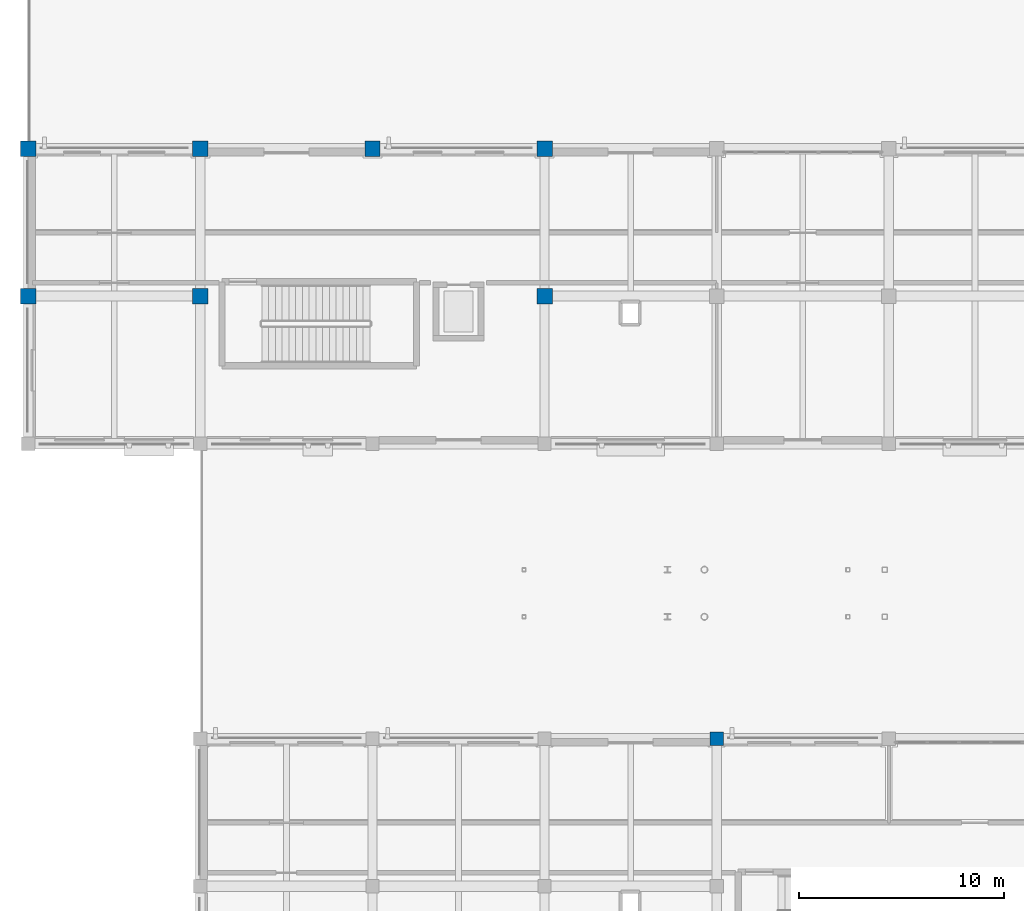
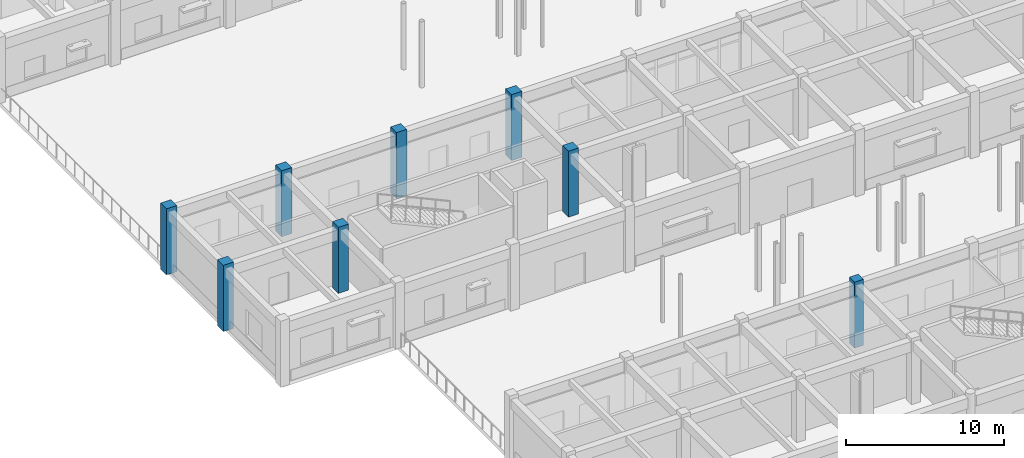
# One storey, part 11 of 121: 8 columns.
"""IFC4 building model written with IfcOpenShell, lengths in metres."""

from ifc_helpers import new_model, si_unit, direction, frame, origin, origin_2d, place, context, subcontext, project, spatial, rectangle, extrude, material, material_profile, profile_set, type_object, element, save


model = new_model("IFC4")

# Units and contexts
model_context = context("Model", 3, precision=1e-05, world=origin(), true_north=direction((0.0, 1.0)))
body_context = subcontext(model_context, "Body", "Model", "MODEL_VIEW")
ifc_project = project(units=[si_unit("LENGTHUNIT", "METRE"), si_unit("AREAUNIT", "SQUARE_METRE"), si_unit("VOLUMEUNIT", "CUBIC_METRE"), si_unit("PLANEANGLEUNIT", "RADIAN"), si_unit("MASSUNIT", "GRAM", prefix="KILO")], contexts=[model_context])

# Site, building, storey
site_placement = place(None, origin())
site = spatial("IfcSite", under=ifc_project, at=site_placement, CompositionType="ELEMENT")
building_placement = place(site_placement, origin())
building = spatial("IfcBuilding", under=site, at=building_placement, Name="Malvenik Polytechnic", CompositionType="ELEMENT")
storey_placement = place(building_placement, origin())
storey = spatial("IfcBuildingStorey", under=building, at=storey_placement, Name="L00", CompositionType="ELEMENT", Elevation=0.0)

# Columns
ifc_material_1 = material(Name="Concrete C40/50", Category="concrete")
ifc_material_profile_1 = material_profile(ifc_material_1, rectangle(XDim=0.75, YDim=0.75, at=origin_2d()), Name="RC COL 750x750")
ifc_profile_set_1 = profile_set([ifc_material_profile_1], Name="Concrete C40/50")
column_type_1 = type_object("IfcColumnType", Name="STR-COL-C-03", PredefinedType="COLUMN", material=ifc_profile_set_1)
for number, where, z_axis, x_axis, name in (
    (1, (0.0, 86.39990234375, 0.0), (0.0, 0.0, 1.0), (1.0, 0.0, 0.0), "Column C-03 L00 (0.0,86.4)"),
    (2, (0.0, 93.60009765625, 0.0), (0.0, 0.0, 1.0), (1.0, 0.0, 0.0), "Column C-03 L00 (0.0,93.6)"),
    (3, (8.39990234375, 86.39990234375, 0.0), (0.0, 0.0, 1.0), (1.0, 0.0, 0.0), "Column C-03 L00 (8.4,86.4)"),
    (4, (8.39990234375, 93.60009765625, 0.0), (0.0, 0.0, 1.0), (1.0, 0.0, 0.0), "Column C-03 L00 (8.4,93.6)"),
    (5, (16.800048828125, 93.60009765625, 0.0), (0.0, 0.0, 1.0), (1.0, 0.0, 0.0), "Column C-03 L00 (16.8,93.6)"),
    (6, (25.199951171875, 86.39990234375, 0.0), (0.0, 0.0, 1.0), (1.0, 0.0, 0.0), "Column C-03 L00 (25.2,86.4)"),
    (7, (25.199951171875, 93.60009765625, 0.0), (0.0, 0.0, 1.0), (1.0, 0.0, 0.0), "Column C-03 L00 (25.2,93.6)"),
):
    element("IfcColumn", number, at=place(storey_placement, frame(where, z_axis=z_axis, x_axis=x_axis)), inside=storey, type_object=column_type_1, Name=name, PredefinedType="COLUMN", context=body_context, shape_type="SweptSolid", body=[
        extrude(rectangle(XDim=0.75, YDim=0.75, at=origin_2d()), origin(), (0.0, 0.0, 1.0), 5.10009765625),
    ])
ifc_material_2 = material(Name="Concrete C35/45", Category="concrete")
ifc_material_profile_2 = material_profile(ifc_material_2, rectangle(XDim=0.64990234375, YDim=0.64990234375, at=origin_2d()), Name="RC COL 650x650")
ifc_profile_set_2 = profile_set([ifc_material_profile_2], Name="Concrete C35/45")
column_type_2 = type_object("IfcColumnType", Name="STR-COL-C-05", PredefinedType="COLUMN", material=ifc_profile_set_2)
column_placement = place(storey_placement, frame((33.60009765625, 64.800048828125, 0.0), z_axis=(0.0, 0.0, 1.0), x_axis=(1.0, 0.0, 0.0)))
element("IfcColumn", 8, at=column_placement, inside=storey, type_object=column_type_2, Name="Column C-05 L00 (33.6,64.8)", PredefinedType="COLUMN", context=body_context, shape_type="SweptSolid", body=[
    extrude(rectangle(XDim=0.64990234375, YDim=0.64990234375, at=origin_2d()), origin(), (0.0, 0.0, 1.0), 5.10009765625),
])

save(model, "model.ifc")
